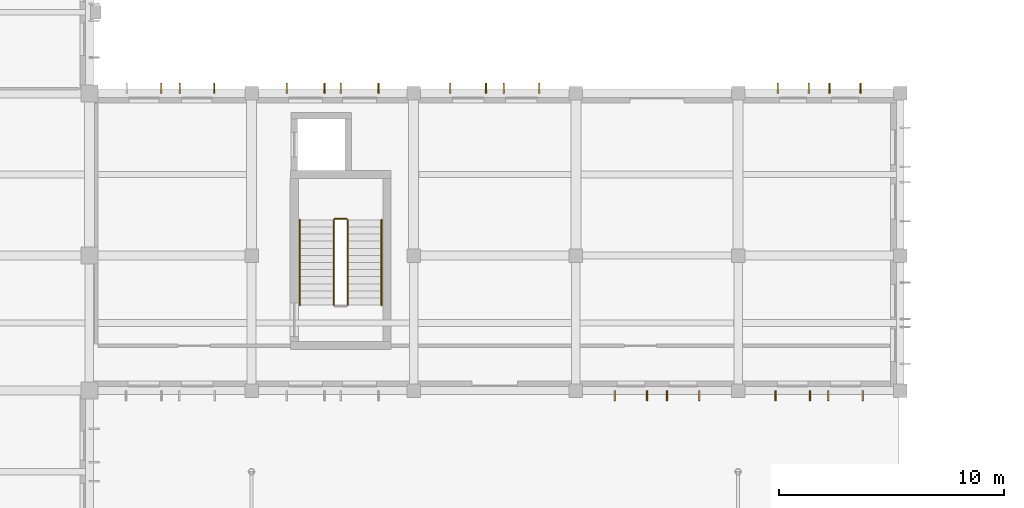
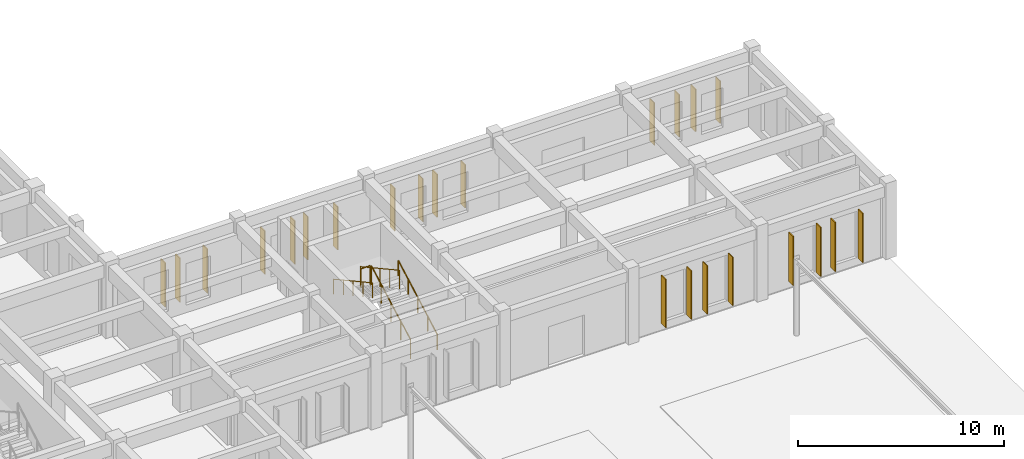
# One storey, part 38 of 43: 23 coverings, 5 railings.
"""IFC4 building model written with IfcOpenShell, lengths in metres."""

from ifc_helpers import new_model, si_unit, direction, frame, origin, origin_2d, place, context, subcontext, project, spatial, polyline, circle, outline, extrude, material, layer, layer_set, type_object, element, save


model = new_model("IFC4")

# Units and contexts
model_context = context("Model", 3, precision=1e-05, world=origin(), true_north=direction((0.0, 1.0)))
body_context = subcontext(model_context, "Body", "Model", "MODEL_VIEW")
ifc_project = project(units=[si_unit("LENGTHUNIT", "METRE"), si_unit("AREAUNIT", "SQUARE_METRE"), si_unit("VOLUMEUNIT", "CUBIC_METRE"), si_unit("PLANEANGLEUNIT", "RADIAN"), si_unit("MASSUNIT", "GRAM", prefix="KILO")], contexts=[model_context])

# Site, building, storey
site_placement = place(None, origin())
site = spatial("IfcSite", under=ifc_project, at=site_placement, CompositionType="ELEMENT")
building_placement = place(site_placement, origin())
building = spatial("IfcBuilding", under=site, at=building_placement, Name="Alvorim Cloister Faculty of Sciences", CompositionType="ELEMENT")
storey_placement = place(building_placement, origin())
storey = spatial("IfcBuildingStorey", under=building, at=storey_placement, Name="L00", CompositionType="ELEMENT", Elevation=0.0)

# Coverings
ifc_material_1 = material(Name="Anodised Aluminium Alloy 6063-T6", Category="aluminium")
ifc_layer = layer(ifc_material_1, 0.054931640625)
ifc_layer_set = layer_set([ifc_layer], Name="Anodised Aluminium Alloy 6063-T6")
covering_type = type_object("IfcCoveringType", Name="COV-SHD-FIN", PredefinedType="CLADDING", material=ifc_layer_set)
for number, where, z_axis, x_axis, name in (
    (1, (31.989990234375, 56.39990234375, 0.389892578125), (0.0, 0.0, 1.0), (0.0, 1.0, 0.0), "L00 Brise-Soleil Vertical Fin COV-FIN-00060"),
    (2, (32.81005859375, 56.39990234375, 0.389892578125), (0.0, 0.0, 1.0), (0.0, 1.0, 0.0), "L00 Brise-Soleil Vertical Fin COV-FIN-00061"),
    (3, (34.340087890625, 56.39990234375, 0.389892578125), (0.0, 0.0, 1.0), (0.0, 1.0, 0.0), "L00 Brise-Soleil Vertical Fin COV-FIN-00062"),
):
    element("IfcCovering", number, at=place(storey_placement, frame(where, z_axis=z_axis, x_axis=x_axis)), inside=storey, type_object=covering_type, Name=name, PredefinedType="CLADDING", context=body_context, shape_type="SweptSolid", body=[
        extrude(outline(polyline([(0.0, 0.0), (0.43994140625, 0.0), (0.43994140625, 2.610107421875), (0.0, 2.610107421875), (0.0, 0.0)])), frame((0.0, 0.02734375, 0.0), z_axis=(0.0, -1.0, 0.0), x_axis=(1.0, 0.0, 0.0)), (0.0, 0.0, 1.0), 0.054931640625),
    ])
for number, where, z_axis, x_axis, name in (
    (4, (37.56005859375, 56.39990234375, 0.389892578125), (0.0, 0.0, 1.0), (0.0, 1.0, 0.0), "L00 Brise-Soleil Vertical Fin COV-FIN-00063"),
    (5, (39.239990234375, 56.39990234375, 0.389892578125), (0.0, 0.0, 1.0), (0.0, 1.0, 0.0), "L00 Brise-Soleil Vertical Fin COV-FIN-00064"),
    (6, (39.9599609375, 56.39990234375, 0.389892578125), (0.0, 0.0, 1.0), (0.0, 1.0, 0.0), "L00 Brise-Soleil Vertical Fin COV-FIN-00065"),
    (7, (41.639892578125, 56.39990234375, 0.389892578125), (0.0, 0.0, 1.0), (0.0, 1.0, 0.0), "L00 Brise-Soleil Vertical Fin COV-FIN-00066"),
):
    element("IfcCovering", number, at=place(storey_placement, frame(where, z_axis=z_axis, x_axis=x_axis)), inside=storey, type_object=covering_type, Name=name, PredefinedType="CLADDING", context=body_context, shape_type="SweptSolid", body=[
        extrude(outline(polyline([(0.0, 0.0), (0.43994140625, 0.0), (0.43994140625, 2.56005859375), (0.0, 2.56005859375), (0.0, 0.0)])), frame((0.0, 0.02734375, 0.0), z_axis=(0.0, -1.0, 0.0), x_axis=(1.0, 0.0, 0.0)), (0.0, 0.0, 1.0), 0.054931640625),
    ])
for number, where, z_axis, x_axis, name in (
    (8, (44.82666015625, 56.39990234375, 0.389892578125), (0.0, 0.0, 1.0), (0.0, 1.0, 0.0), "L00 Brise-Soleil Vertical Fin COV-FIN-00067"),
    (9, (46.40673828125, 56.39990234375, 0.389892578125), (0.0, 0.0, 1.0), (0.0, 1.0, 0.0), "L00 Brise-Soleil Vertical Fin COV-FIN-00068"),
    (10, (47.193359375, 56.39990234375, 0.389892578125), (0.0, 0.0, 1.0), (0.0, 1.0, 0.0), "L00 Brise-Soleil Vertical Fin COV-FIN-00069"),
    (11, (48.773193359375, 56.39990234375, 0.389892578125), (0.0, 0.0, 1.0), (0.0, 1.0, 0.0), "L00 Brise-Soleil Vertical Fin COV-FIN-00070"),
):
    element("IfcCovering", number, at=place(storey_placement, frame(where, z_axis=z_axis, x_axis=x_axis)), inside=storey, type_object=covering_type, Name=name, PredefinedType="CLADDING", context=body_context, shape_type="SweptSolid", body=[
        extrude(outline(polyline([(0.0, 0.0), (0.43994140625, 0.0), (0.43994140625, 2.5400390625), (0.0, 2.5400390625), (0.0, 0.0)])), frame((0.0, 0.02734375, 0.0), z_axis=(0.0, -1.0, 0.0), x_axis=(1.0, 0.0, 0.0)), (0.0, 0.0, 1.0), 0.054931640625),
    ])
for number, where, z_axis, x_axis, name in (
    (12, (59.360107421875, 56.39990234375, 0.389892578125), (0.0, 0.0, 1.0), (0.0, 1.0, 0.0), "L00 Brise-Soleil Vertical Fin COV-FIN-00071"),
    (13, (60.739990234375, 56.39990234375, 0.389892578125), (0.0, 0.0, 1.0), (0.0, 1.0, 0.0), "L00 Brise-Soleil Vertical Fin COV-FIN-00072"),
    (14, (61.659912109375, 56.39990234375, 0.389892578125), (0.0, 0.0, 1.0), (0.0, 1.0, 0.0), "L00 Brise-Soleil Vertical Fin COV-FIN-00073"),
    (15, (63.0400390625, 56.39990234375, 0.389892578125), (0.0, 0.0, 1.0), (0.0, 1.0, 0.0), "L00 Brise-Soleil Vertical Fin COV-FIN-00074"),
):
    element("IfcCovering", number, at=place(storey_placement, frame(where, z_axis=z_axis, x_axis=x_axis)), inside=storey, type_object=covering_type, Name=name, PredefinedType="CLADDING", context=body_context, shape_type="SweptSolid", body=[
        extrude(outline(polyline([(0.0, 0.0), (0.43994140625, 0.0), (0.43994140625, 2.510009765625), (0.0, 2.510009765625), (0.0, 0.0)])), frame((0.0, 0.02734375, 0.0), z_axis=(0.0, -1.0, 0.0), x_axis=(1.0, 0.0, 0.0)), (0.0, 0.0, 1.0), 0.054931640625),
    ])
for number, where, z_axis, x_axis, name in (
    (16, (59.260009765625, 43.199951171875, 0.389892578125), (0.0, 0.0, 1.0), (0.0, -1.0, 0.0), "L00 Brise-Soleil Vertical Fin COV-FIN-00083"),
    (17, (60.7900390625, 43.199951171875, 0.389892578125), (0.0, 0.0, 1.0), (0.0, -1.0, 0.0), "L00 Brise-Soleil Vertical Fin COV-FIN-00084"),
    (18, (61.610107421875, 43.199951171875, 0.389892578125), (0.0, 0.0, 1.0), (0.0, -1.0, 0.0), "L00 Brise-Soleil Vertical Fin COV-FIN-00085"),
    (19, (63.139892578125, 43.199951171875, 0.389892578125), (0.0, 0.0, 1.0), (0.0, -1.0, 0.0), "L00 Brise-Soleil Vertical Fin COV-FIN-00086"),
):
    element("IfcCovering", number, at=place(storey_placement, frame(where, z_axis=z_axis, x_axis=x_axis)), inside=storey, type_object=covering_type, Name=name, PredefinedType="CLADDING", context=body_context, shape_type="SweptSolid", body=[
        extrude(outline(polyline([(0.0, 0.0), (0.43994140625, 0.0), (0.43994140625, 2.91015625), (0.0, 2.91015625), (0.0, 0.0)])), frame((0.0, 0.02734375, 0.0), z_axis=(0.0, -1.0, 0.0), x_axis=(1.0, 0.0, 0.0)), (0.0, 0.0, 1.0), 0.054931640625),
    ])
for number, where, z_axis, x_axis, name in (
    (20, (52.126708984375, 43.199951171875, 0.389892578125), (0.0, 0.0, 1.0), (0.0, -1.0, 0.0), "L00 Brise-Soleil Vertical Fin COV-FIN-00087"),
    (21, (53.556640625, 43.199951171875, 0.389892578125), (0.0, 0.0, 1.0), (0.0, -1.0, 0.0), "L00 Brise-Soleil Vertical Fin COV-FIN-00088"),
    (22, (54.443359375, 43.199951171875, 0.389892578125), (0.0, 0.0, 1.0), (0.0, -1.0, 0.0), "L00 Brise-Soleil Vertical Fin COV-FIN-00089"),
    (23, (55.873291015625, 43.199951171875, 0.389892578125), (0.0, 0.0, 1.0), (0.0, -1.0, 0.0), "L00 Brise-Soleil Vertical Fin COV-FIN-00090"),
):
    element("IfcCovering", number, at=place(storey_placement, frame(where, z_axis=z_axis, x_axis=x_axis)), inside=storey, type_object=covering_type, Name=name, PredefinedType="CLADDING", context=body_context, shape_type="SweptSolid", body=[
        extrude(outline(polyline([(0.0, 0.0), (0.43994140625, 0.0), (0.43994140625, 2.860107421875), (0.0, 2.860107421875), (0.0, 0.0)])), frame((0.0, 0.02734375, 0.0), z_axis=(0.0, -1.0, 0.0), x_axis=(1.0, 0.0, 0.0)), (0.0, 0.0, 1.0), 0.054931640625),
    ])

# Railings
ifc_material_2 = material(Name="Galvanised Painted Steel", Category="steel")
railing_type_1 = type_object("IfcRailingType", Name="RL-STR-GUARD", PredefinedType="GUARDRAIL", material=ifc_material_2)
railing_1_placement = place(storey_placement, frame((40.27001953125, 47.0, 0.173095703125)))
element("IfcRailing", 24, at=railing_1_placement, inside=storey, type_object=railing_type_1, Name="L00 ST-04 stair guard 1", PredefinedType="GUARDRAIL", context=body_context, shape_type="SweptSolid", body=[
    extrude(circle(Radius=0.02392578125, at=origin_2d()), frame((0.0, 0.0, 1.09619140625), z_axis=(0.0, 0.876422584698, 0.481542784217), x_axis=(-1.0, 0.0, 0.0)), (0.0, 0.0, 1.0), 4.31298828125),
    extrude(circle(Radius=0.02099609375, at=origin_2d()), origin(), (0.0, 0.0, 1.0), 1.072021484375),
    extrude(circle(Radius=0.02099609375, at=origin_2d()), frame((0.0, 0.945068359375, 0.519287109375)), (0.0, 0.0, 1.0), 1.072021484375),
    extrude(circle(Radius=0.02099609375, at=origin_2d()), frame((0.0, 1.89013671875, 1.03857421875)), (0.0, 0.0, 1.0), 1.072021484375),
    extrude(circle(Radius=0.02099609375, at=origin_2d()), frame((0.0, 2.8349609375, 1.5576171875)), (0.0, 0.0, 1.0), 1.072021484375),
    extrude(circle(Radius=0.02099609375, at=origin_2d()), frame((0.0, 3.780029296875, 2.076904296875)), (0.0, 0.0, 1.0), 1.072021484375),
])
railing_2_placement = place(storey_placement, frame((40.219970703125, 50.830078125, 2.25)))
element("IfcRailing", 25, at=railing_2_placement, inside=storey, type_object=railing_type_1, Name="L00 ST-04 stair guard 2", PredefinedType="GUARDRAIL", context=body_context, shape_type="SweptSolid", body=[
    extrude(circle(Radius=0.02392578125, at=origin_2d()), frame((0.0, 0.0, 1.09619140625), z_axis=(-1.0, 0.0, 0.0), x_axis=(0.0, -1.0, 0.0)), (0.0, 0.0, 1.0), 0.52001953125),
    extrude(circle(Radius=0.02099609375, at=origin_2d()), origin(), (0.0, 0.0, 1.0), 1.072021484375),
    extrude(circle(Radius=0.02099609375, at=origin_2d()), frame((-0.52001953125, 0.0, 0.0)), (0.0, 0.0, 1.0), 1.072021484375),
])
railing_3_placement = place(storey_placement, frame((39.64990234375, 50.780029296875, 2.423095703125)))
element("IfcRailing", 26, at=railing_3_placement, inside=storey, type_object=railing_type_1, Name="L00 ST-04 stair guard 3", PredefinedType="GUARDRAIL", context=body_context, shape_type="SweptSolid", body=[
    extrude(circle(Radius=0.02392578125, at=origin_2d()), frame((0.0, 0.0, 1.09619140625), z_axis=(0.0, -0.876422584698, 0.481542784217), x_axis=(1.0, 0.0, 0.0)), (0.0, 0.0, 1.0), 4.31298828125),
    extrude(circle(Radius=0.02099609375, at=origin_2d()), origin(), (0.0, 0.0, 1.0), 1.072021484375),
    extrude(circle(Radius=0.02099609375, at=origin_2d()), frame((0.0, -0.945068359375, 0.519287109375)), (0.0, 0.0, 1.0), 1.072021484375),
    extrude(circle(Radius=0.02099609375, at=origin_2d()), frame((0.0, -1.89013671875, 1.03857421875)), (0.0, 0.0, 1.0), 1.072021484375),
    extrude(circle(Radius=0.02099609375, at=origin_2d()), frame((0.0, -2.8349609375, 1.5576171875)), (0.0, 0.0, 1.0), 1.072021484375),
    extrude(circle(Radius=0.02099609375, at=origin_2d()), frame((0.0, -3.780029296875, 2.076904296875)), (0.0, 0.0, 1.0), 1.072021484375),
])
ifc_material_3 = material(Name="Brushed Stainless Steel", Category="steel")
railing_type_2 = type_object("IfcRailingType", Name="RL-STR-HAND", PredefinedType="HANDRAIL", material=ifc_material_3)
railing_4_placement = place(storey_placement, frame((41.77001953125, 47.0, 0.173095703125)))
element("IfcRailing", 27, at=railing_4_placement, inside=storey, type_object=railing_type_2, Name="L00 ST-04 stair handrail 1", PredefinedType="HANDRAIL", context=body_context, shape_type="SweptSolid", body=[
    extrude(circle(Radius=0.02392578125, at=origin_2d()), frame((0.0, 0.0, 0.8759765625), z_axis=(0.0, 0.876422584698, 0.481542784217), x_axis=(-1.0, 0.0, 0.0)), (0.0, 0.0, 1.0), 4.31298828125),
    extrude(circle(Radius=0.02099609375, at=origin_2d()), origin(), (0.0, 0.0, 1.0), 0.851806640625),
    extrude(circle(Radius=0.02099609375, at=origin_2d()), frame((0.0, 0.945068359375, 0.519287109375)), (0.0, 0.0, 1.0), 0.851806640625),
    extrude(circle(Radius=0.02099609375, at=origin_2d()), frame((0.0, 1.89013671875, 1.03857421875)), (0.0, 0.0, 1.0), 0.851806640625),
    extrude(circle(Radius=0.02099609375, at=origin_2d()), frame((0.0, 2.8349609375, 1.5576171875)), (0.0, 0.0, 1.0), 0.851806640625),
    extrude(circle(Radius=0.02099609375, at=origin_2d()), frame((0.0, 3.780029296875, 2.076904296875)), (0.0, 0.0, 1.0), 0.851806640625),
])
railing_5_placement = place(storey_placement, frame((38.14990234375, 50.780029296875, 2.423095703125)))
element("IfcRailing", 28, at=railing_5_placement, inside=storey, type_object=railing_type_2, Name="L00 ST-04 stair handrail 2", PredefinedType="HANDRAIL", context=body_context, shape_type="SweptSolid", body=[
    extrude(circle(Radius=0.02392578125, at=origin_2d()), frame((0.0, 0.0, 0.8759765625), z_axis=(0.0, -0.876422584698, 0.481542784217), x_axis=(1.0, 0.0, 0.0)), (0.0, 0.0, 1.0), 4.31298828125),
    extrude(circle(Radius=0.02099609375, at=origin_2d()), origin(), (0.0, 0.0, 1.0), 0.851806640625),
    extrude(circle(Radius=0.02099609375, at=origin_2d()), frame((0.0, -0.945068359375, 0.519287109375)), (0.0, 0.0, 1.0), 0.851806640625),
    extrude(circle(Radius=0.02099609375, at=origin_2d()), frame((0.0, -1.89013671875, 1.03857421875)), (0.0, 0.0, 1.0), 0.851806640625),
    extrude(circle(Radius=0.02099609375, at=origin_2d()), frame((0.0, -2.8349609375, 1.5576171875)), (0.0, 0.0, 1.0), 0.851806640625),
    extrude(circle(Radius=0.02099609375, at=origin_2d()), frame((0.0, -3.780029296875, 2.076904296875)), (0.0, 0.0, 1.0), 0.851806640625),
])

save(model, "model.ifc")
